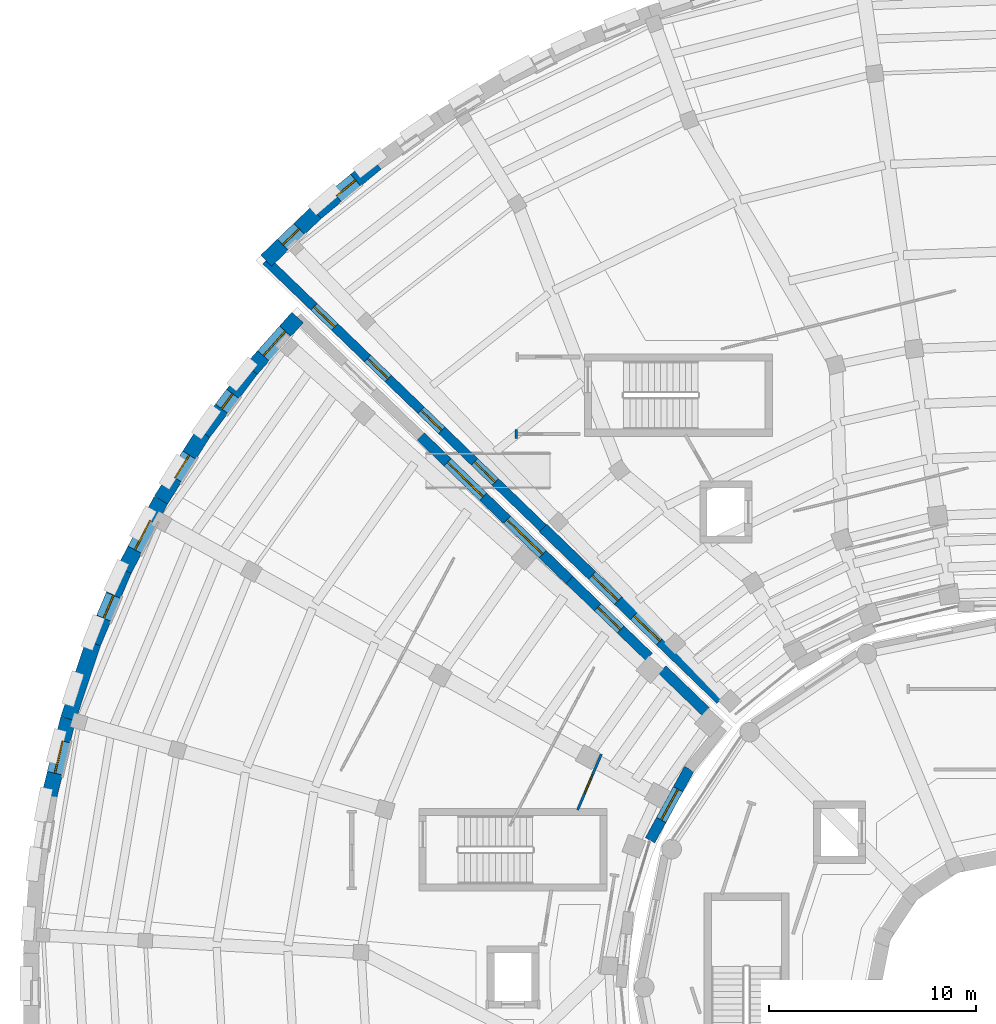
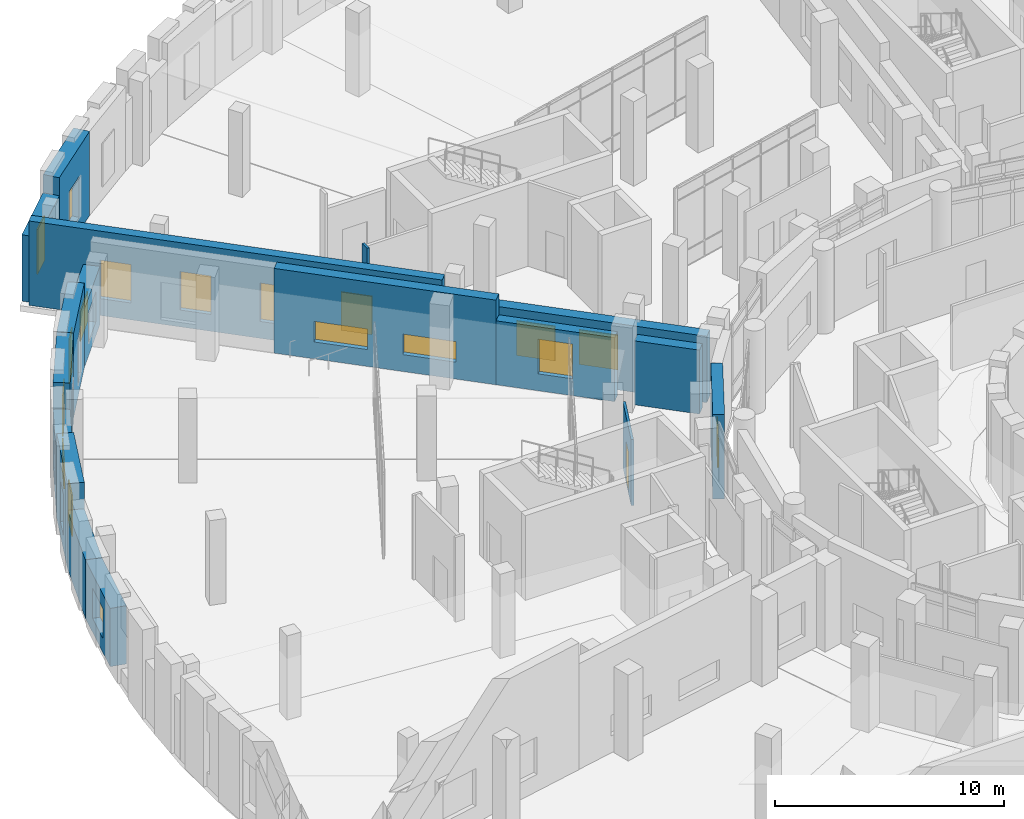
# One storey, part 67 of 89: 18 windows, 17 walls, 1 door, 19 openings.
"""IFC4 building model written with IfcOpenShell, lengths in metres."""

from ifc_helpers import new_model, si_unit, direction, frame, frame_2d, origin, place, context, subcontext, project, spatial, rectangle, extrude, material, layer, layer_set, type_object, element, fill, save


model = new_model("IFC4")

# Units and contexts
model_context = context("Model", 3, precision=1e-05, world=origin(), true_north=direction((0.0, 1.0)))
body_context = subcontext(model_context, "Body", "Model", "MODEL_VIEW")
ifc_project = project(units=[si_unit("LENGTHUNIT", "METRE"), si_unit("AREAUNIT", "SQUARE_METRE"), si_unit("VOLUMEUNIT", "CUBIC_METRE"), si_unit("PLANEANGLEUNIT", "RADIAN"), si_unit("MASSUNIT", "GRAM", prefix="KILO")], contexts=[model_context])

# Site, building, storey
site_placement = place(None, origin())
site = spatial("IfcSite", under=ifc_project, at=site_placement, CompositionType="ELEMENT")
building_placement = place(site_placement, origin())
building = spatial("IfcBuilding", under=site, at=building_placement, Name="Soyqirgoq Riverine Aquarium", CompositionType="ELEMENT")
storey_placement = place(building_placement, frame((0.0, 0.0, 5.39990234375)))
storey = spatial("IfcBuildingStorey", under=building, at=storey_placement, Name="L02", CompositionType="ELEMENT", Elevation=5.39990234375)

# Wall, opening, door
ifc_material_1 = material(Name="Lightweight steel-stud gypsum partition", Category="steel")
ifc_layer_1 = layer(ifc_material_1, 0.1201171875)
ifc_layer_set_1 = layer_set([ifc_layer_1], Name="Lightweight steel-stud gypsum partition")
wall_type_1 = type_object("IfcWallType", Name="PartitionWall_120_Std", PredefinedType="PARTITIONING", material=ifc_layer_set_1)
wall_1_placement = place(storey_placement, frame((36.47119140625, 68.27490234375, 0.0), z_axis=(0.0, 0.0, 1.0), x_axis=(-0.39080089657, -0.920475235539, 0.0)))
wall_1 = element("IfcWall", 1, at=wall_1_placement, inside=storey, type_object=wall_type_1, Name="V3 Gallery Circulation Corridor Partition Wall", PredefinedType="PARTITIONING", context=body_context, shape_type="SweptSolid", body=[
    extrude(rectangle(XDim=2.921875, YDim=0.1201171875, at=frame_2d((1.4609375, 0.0))), origin(), (0.0, 0.0, 1.0), 3.510009765625),
])
opening_1_placement = place(wall_1_placement, frame((1.094970703125, 0.0, 0.0)))
opening_1 = element("IfcOpeningElement", 2, at=opening_1_placement, cuts=wall_1, Name="Opening ID-06", PredefinedType="OPENING", context=body_context, shape_type="SweptSolid", body=[
    extrude(rectangle(XDim=0.949951171875, YDim=2.199951171875, at=frame_2d((0.47509765625, 1.10009765625))), frame((0.0, 0.070068359375, 0.0), z_axis=(0.0, -1.0, 0.0), x_axis=(1.0, 0.0, 0.0)), (0.0, 0.0, 1.0), 0.14013671875),
])
ifc_material_2 = material(Name="Moisture-resistant HPL washroom door", Category="wood")
door_type = type_object("IfcDoorType", Name="WCDoor_950x2200", OperationType="NOTDEFINED", PredefinedType="DOOR", material=ifc_material_2)
door_placement = place(opening_1_placement, origin())
door = element("IfcDoor", 3, at=door_placement, inside=storey, type_object=door_type, Name="IDR-V3-L02-0098 Brackish Delta Habitat Gallery Access Door", OperationType="SINGLE_SWING_LEFT", OverallHeight=2.199951171875, OverallWidth=0.949951171875, PredefinedType="DOOR", context=body_context, shape_type="SweptSolid", body=[
    extrude(rectangle(XDim=0.949951171875, YDim=2.199951171875, at=frame_2d((0.47509765625, 1.10009765625))), frame((0.0, 0.02490234375, 0.0), z_axis=(0.0, -1.0, 0.0), x_axis=(1.0, 0.0, 0.0)), (0.0, 0.0, 1.0), 0.050048828125),
])
fill(opening_1, door)

# Wall
wall_2_placement = place(storey_placement, frame((32.360107421875, 83.97998046875, 0.0), z_axis=(0.0, 0.0, 1.0), x_axis=(0.0, -1.0, 0.0)))
element("IfcWall", 4, at=wall_2_placement, inside=storey, type_object=wall_type_1, Name="V4 L02 Jamb Return Pier", PredefinedType="PARTITIONING", context=body_context, shape_type="SweptSolid", body=[
    extrude(rectangle(XDim=0.43994140625, YDim=0.1201171875, at=frame_2d((0.219970703125, 0.0))), origin(), (0.0, 0.0, 1.0), 3.89013671875),
])

# Wall, openings, windows
ifc_material_3 = material(Name="Honed travertine limestone cavity wall", Category="masonry")
ifc_layer_2 = layer(ifc_material_3, 0.449951171875)
ifc_layer_set_2 = layer_set([ifc_layer_2], Name="Honed travertine limestone cavity wall")
wall_type_2 = type_object("IfcWallType", Name="TravertineCavityWall_450", PredefinedType="SOLIDWALL", material=ifc_layer_set_2)
wall_3_placement = place(storey_placement, frame((33.659912109375, 79.212890625, 0.0), z_axis=(0.0, 0.0, 1.0), x_axis=(-0.719335980864, 0.694662325619, 0.0)))
wall_3 = element("IfcWall", 5, at=wall_3_placement, inside=storey, type_object=wall_type_2, Name="V4 L02 Exterior Travertine Wall 0182", PredefinedType="SOLIDWALL", context=body_context, shape_type="SweptSolid", body=[
    extrude(rectangle(XDim=18.6318359375, YDim=0.449951171875, at=frame_2d((9.31591796875, 0.0))), origin(), (0.0, 0.0, 1.0), 4.5),
])
opening_2_placement = place(wall_3_placement, frame((3.216064453125, 0.0, 0.89990234375)))
opening_2 = element("IfcOpeningElement", 6, at=opening_2_placement, cuts=wall_3, Name="Opening WN-20", PredefinedType="OPENING", context=body_context, shape_type="SweptSolid", body=[
    extrude(rectangle(XDim=1.39990234375, YDim=2.050048828125, at=frame_2d((0.699951171875, 1.02490234375))), frame((0.0, 0.23486328125, 0.0), z_axis=(0.0, -1.0, 0.0), x_axis=(1.0, 0.0, 0.0)), (0.0, 0.0, 1.0), 0.469970703125),
])
opening_3_placement = place(wall_3_placement, frame((6.81591796875, 0.0, 0.89990234375)))
opening_3 = element("IfcOpeningElement", 7, at=opening_3_placement, cuts=wall_3, Name="Opening WN-20", PredefinedType="OPENING", context=body_context, shape_type="SweptSolid", body=[
    extrude(rectangle(XDim=1.39990234375, YDim=2.050048828125, at=frame_2d((0.699951171875, 1.02490234375))), frame((0.0, 0.23486328125, 0.0), z_axis=(0.0, -1.0, 0.0), x_axis=(1.0, 0.0, 0.0)), (0.0, 0.0, 1.0), 0.469970703125),
])
opening_4_placement = place(wall_3_placement, frame((10.416015625, 0.0, 0.89990234375)))
opening_4 = element("IfcOpeningElement", 8, at=opening_4_placement, cuts=wall_3, Name="Opening WN-20", PredefinedType="OPENING", context=body_context, shape_type="SweptSolid", body=[
    extrude(rectangle(XDim=1.39990234375, YDim=2.050048828125, at=frame_2d((0.699951171875, 1.02490234375))), frame((0.0, 0.23486328125, 0.0), z_axis=(0.0, -1.0, 0.0), x_axis=(1.0, 0.0, 0.0)), (0.0, 0.0, 1.0), 0.469970703125),
])
opening_5_placement = place(wall_3_placement, frame((14.01611328125, 0.0, 0.89990234375)))
opening_5 = element("IfcOpeningElement", 9, at=opening_5_placement, cuts=wall_3, Name="Opening WN-20", PredefinedType="OPENING", context=body_context, shape_type="SweptSolid", body=[
    extrude(rectangle(XDim=1.39990234375, YDim=2.050048828125, at=frame_2d((0.699951171875, 1.02490234375))), frame((0.0, 0.23486328125, 0.0), z_axis=(0.0, -1.0, 0.0), x_axis=(1.0, 0.0, 0.0)), (0.0, 0.0, 1.0), 0.469970703125),
])
ifc_material_4 = material(Name="Thermally broken aluminium triple low-E window", Category="aluminium")
window_type_1 = type_object("IfcWindowType", Name="Win_Gallery_1400x2050", PartitioningType="DOUBLE_PANEL_VERTICAL", PredefinedType="WINDOW", material=ifc_material_4)
window_1_placement = place(opening_2_placement, origin())
window_1 = element("IfcWindow", 10, at=window_1_placement, inside=storey, type_object=window_type_1, Name="V4 L02 Facade Window 0122", OverallHeight=2.050048828125, OverallWidth=1.39990234375, PartitioningType="DOUBLE_PANEL_VERTICAL", PredefinedType="WINDOW", context=body_context, shape_type="SweptSolid", body=[
    extrude(rectangle(XDim=1.39990234375, YDim=2.050048828125, at=frame_2d((0.699951171875, 1.02490234375))), frame((0.0, 0.030029296875, 0.0), z_axis=(0.0, -1.0, 0.0), x_axis=(1.0, 0.0, 0.0)), (0.0, 0.0, 1.0), 0.06005859375),
])
fill(opening_2, window_1)
window_2_placement = place(opening_3_placement, origin())
window_2 = element("IfcWindow", 11, at=window_2_placement, inside=storey, type_object=window_type_1, Name="V4 L02 Facade Window 0123", OverallHeight=2.050048828125, OverallWidth=1.39990234375, PartitioningType="DOUBLE_PANEL_VERTICAL", PredefinedType="WINDOW", context=body_context, shape_type="SweptSolid", body=[
    extrude(rectangle(XDim=1.39990234375, YDim=2.050048828125, at=frame_2d((0.699951171875, 1.02490234375))), frame((0.0, 0.030029296875, 0.0), z_axis=(0.0, -1.0, 0.0), x_axis=(1.0, 0.0, 0.0)), (0.0, 0.0, 1.0), 0.06005859375),
])
fill(opening_3, window_2)
window_3_placement = place(opening_4_placement, origin())
window_3 = element("IfcWindow", 12, at=window_3_placement, inside=storey, type_object=window_type_1, Name="V4 L02 Facade Window 0124", OverallHeight=2.050048828125, OverallWidth=1.39990234375, PartitioningType="DOUBLE_PANEL_VERTICAL", PredefinedType="WINDOW", context=body_context, shape_type="SweptSolid", body=[
    extrude(rectangle(XDim=1.39990234375, YDim=2.050048828125, at=frame_2d((0.699951171875, 1.02490234375))), frame((0.0, 0.030029296875, 0.0), z_axis=(0.0, -1.0, 0.0), x_axis=(1.0, 0.0, 0.0)), (0.0, 0.0, 1.0), 0.06005859375),
])
fill(opening_4, window_3)
window_4_placement = place(opening_5_placement, origin())
window_4 = element("IfcWindow", 13, at=window_4_placement, inside=storey, type_object=window_type_1, Name="V4 L02 Facade Window 0125", OverallHeight=2.050048828125, OverallWidth=1.39990234375, PartitioningType="DOUBLE_PANEL_VERTICAL", PredefinedType="WINDOW", context=body_context, shape_type="SweptSolid", body=[
    extrude(rectangle(XDim=1.39990234375, YDim=2.050048828125, at=frame_2d((0.699951171875, 1.02490234375))), frame((0.0, 0.030029296875, 0.0), z_axis=(0.0, -1.0, 0.0), x_axis=(1.0, 0.0, 0.0)), (0.0, 0.0, 1.0), 0.06005859375),
])
fill(opening_5, window_4)

# Wall, opening, window
ifc_material_5 = material(Name="Honed travertine limestone cavity wall", Category="masonry")
ifc_layer_3 = layer(ifc_material_5, 0.47998046875)
ifc_layer_set_3 = layer_set([ifc_layer_3], Name="Honed travertine limestone cavity wall")
wall_type_3 = type_object("IfcWallType", Name="TravertineCavityWall_480", PredefinedType="SOLIDWALL", material=ifc_layer_set_3)
wall_4_placement = place(storey_placement, frame((34.9345703125, 76.703125, 0.0), z_axis=(0.0, 0.0, 1.0), x_axis=(0.719353452816, -0.694644232627, 0.0)))
wall_4 = element("IfcWall", 14, at=wall_4_placement, inside=storey, type_object=wall_type_3, Name="V3 L02 Exterior Travertine Wall 0136", PredefinedType="SOLIDWALL", context=body_context, shape_type="SweptSolid", body=[
    extrude(rectangle(XDim=5.345458984375, YDim=0.47998046875, at=frame_2d((2.6728515625, 0.0))), origin(), (0.0, 0.0, 1.0), 3.41015625),
])
opening_6_placement = place(wall_4_placement, frame((1.897705078125, 0.0, 0.89990234375)))
opening_6 = element("IfcOpeningElement", 15, at=opening_6_placement, cuts=wall_4, Name="Opening WN-18", PredefinedType="OPENING", context=body_context, shape_type="SweptSolid", body=[
    extrude(rectangle(XDim=1.550048828125, YDim=1.85009765625, at=frame_2d((0.77490234375, 0.925048828125))), frame((0.0, 0.25, 0.0), z_axis=(0.0, -1.0, 0.0), x_axis=(1.0, 0.0, 0.0)), (0.0, 0.0, 1.0), 0.5),
])
ifc_material_6 = material(Name="Thermally broken aluminium triple low-E window", Category="aluminium")
window_type_2 = type_object("IfcWindowType", Name="Win_Office_1550x1850", PartitioningType="DOUBLE_PANEL_VERTICAL", PredefinedType="WINDOW", material=ifc_material_6)
window_5_placement = place(opening_6_placement, origin())
window_5 = element("IfcWindow", 16, at=window_5_placement, inside=storey, type_object=window_type_2, Name="V3 L02 Facade Window 0094", OverallHeight=1.85009765625, OverallWidth=1.550048828125, PartitioningType="DOUBLE_PANEL_VERTICAL", PredefinedType="WINDOW", context=body_context, shape_type="SweptSolid", body=[
    extrude(rectangle(XDim=1.550048828125, YDim=1.85009765625, at=frame_2d((0.77490234375, 0.925048828125))), frame((0.0, 0.030029296875, 0.0), z_axis=(0.0, -1.0, 0.0), x_axis=(1.0, 0.0, 0.0)), (0.0, 0.0, 1.0), 0.06005859375),
])
fill(opening_6, window_5)

# Wall, openings, windows
ifc_material_7 = material(Name="Honed travertine limestone cavity wall", Category="masonry")
ifc_layer_4 = layer(ifc_material_7, 0.5)
ifc_layer_set_4 = layer_set([ifc_layer_4], Name="Honed travertine limestone cavity wall")
wall_type_4 = type_object("IfcWallType", Name="TravertineCavityWall_500", PredefinedType="SOLIDWALL", material=ifc_layer_set_4)
wall_5_placement = place(storey_placement, frame((27.7392578125, 83.651611328125, 0.0), z_axis=(0.0, 0.0, 1.0), x_axis=(0.719337111916, -0.694661154392, 0.0)))
wall_5 = element("IfcWall", 17, at=wall_5_placement, inside=storey, type_object=wall_type_4, Name="V3 L02 Exterior Travertine Wall 0135", PredefinedType="SOLIDWALL", context=body_context, shape_type="SweptSolid", body=[
    extrude(rectangle(XDim=10.002685546875, YDim=0.5, at=frame_2d((5.00146484375, 0.0))), origin(), (0.0, 0.0, 1.0), 4.52001953125),
])
opening_7_placement = place(wall_5_placement, frame((1.801513671875, 0.0, 0.89990234375)))
opening_7 = element("IfcOpeningElement", 18, at=opening_7_placement, cuts=wall_5, Name="Opening WN-10", PredefinedType="OPENING", context=body_context, shape_type="SweptSolid", body=[
    extrude(rectangle(XDim=2.39990234375, YDim=1.10009765625, at=frame_2d((1.199951171875, 0.550048828125))), frame((0.0, 0.260009765625, 0.0), z_axis=(0.0, -1.0, 0.0), x_axis=(1.0, 0.0, 0.0)), (0.0, 0.0, 1.0), 0.52001953125),
])
opening_8_placement = place(wall_5_placement, frame((5.801513671875, 0.0, 0.89990234375)))
opening_8 = element("IfcOpeningElement", 19, at=opening_8_placement, cuts=wall_5, Name="Opening WN-10", PredefinedType="OPENING", context=body_context, shape_type="SweptSolid", body=[
    extrude(rectangle(XDim=2.39990234375, YDim=1.10009765625, at=frame_2d((1.199951171875, 0.550048828125))), frame((0.0, 0.260009765625, 0.0), z_axis=(0.0, -1.0, 0.0), x_axis=(1.0, 0.0, 0.0)), (0.0, 0.0, 1.0), 0.52001953125),
])
ifc_material_8 = material(Name="Thermally broken aluminium triple low-E window", Category="aluminium")
window_type_3 = type_object("IfcWindowType", Name="Win_Clerestory_2400x1100", PartitioningType="DOUBLE_PANEL_HORIZONTAL", PredefinedType="LIGHTDOME", material=ifc_material_8)
window_6_placement = place(opening_7_placement, origin())
window_6 = element("IfcWindow", 20, at=window_6_placement, inside=storey, type_object=window_type_3, Name="V3 L02 Facade Window 0092", OverallHeight=1.10009765625, OverallWidth=2.39990234375, PartitioningType="DOUBLE_PANEL_HORIZONTAL", PredefinedType="LIGHTDOME", context=body_context, shape_type="SweptSolid", body=[
    extrude(rectangle(XDim=2.39990234375, YDim=1.10009765625, at=frame_2d((1.199951171875, 0.550048828125))), frame((0.0, 0.030029296875, 0.0), z_axis=(0.0, -1.0, 0.0), x_axis=(1.0, 0.0, 0.0)), (0.0, 0.0, 1.0), 0.06005859375),
])
fill(opening_7, window_6)
window_7_placement = place(opening_8_placement, origin())
window_7 = element("IfcWindow", 21, at=window_7_placement, inside=storey, type_object=window_type_3, Name="V3 L02 Facade Window 0093", OverallHeight=1.10009765625, OverallWidth=2.39990234375, PartitioningType="DOUBLE_PANEL_HORIZONTAL", PredefinedType="LIGHTDOME", context=body_context, shape_type="SweptSolid", body=[
    extrude(rectangle(XDim=2.39990234375, YDim=1.10009765625, at=frame_2d((1.199951171875, 0.550048828125))), frame((0.0, 0.030029296875, 0.0), z_axis=(0.0, -1.0, 0.0), x_axis=(1.0, 0.0, 0.0)), (0.0, 0.0, 1.0), 0.06005859375),
])
fill(opening_8, window_7)

# Wall, opening, window
ifc_material_9 = material(Name="Honed travertine limestone cavity wall", Category="masonry")
ifc_layer_5 = layer(ifc_material_9, 0.52001953125)
ifc_layer_set_5 = layer_set([ifc_layer_5], Name="Honed travertine limestone cavity wall")
wall_type_5 = type_object("IfcWallType", Name="TravertineCavityWall_520", PredefinedType="SOLIDWALL", material=ifc_layer_set_5)
wall_6_placement = place(storey_placement, frame((40.726318359375, 67.562744140625, 0.0), z_axis=(0.0, 0.0, 1.0), x_axis=(-0.480801851499, -0.876829276196, 0.0)))
wall_6 = element("IfcWall", 22, at=wall_6_placement, inside=storey, type_object=wall_type_5, Name="V3 L02 Exterior Travertine Wall 0117", PredefinedType="SOLIDWALL", context=body_context, shape_type="SweptSolid", body=[
    extrude(rectangle(XDim=3.936767578125, YDim=0.52001953125, at=frame_2d((1.96826171875, 0.0))), origin(), (0.0, 0.0, 1.0), 4.52001953125),
])
opening_9_placement = place(wall_6_placement, frame((1.118408203125, 0.0, 0.89990234375)))
opening_9 = element("IfcOpeningElement", 23, at=opening_9_placement, cuts=wall_6, Name="Opening WN-21", PredefinedType="OPENING", context=body_context, shape_type="SweptSolid", body=[
    extrude(rectangle(XDim=1.699951171875, YDim=1.550048828125, at=frame_2d((0.85009765625, 0.77490234375))), frame((0.0, 0.27001953125, 0.0), z_axis=(0.0, -1.0, 0.0), x_axis=(1.0, 0.0, 0.0)), (0.0, 0.0, 1.0), 0.5400390625),
])
ifc_material_10 = material(Name="Thermally broken aluminium triple low-E window", Category="aluminium")
window_type_4 = type_object("IfcWindowType", Name="Win_Lab_1700x1550", PartitioningType="DOUBLE_PANEL_VERTICAL", PredefinedType="WINDOW", material=ifc_material_10)
window_8_placement = place(opening_9_placement, origin())
window_8 = element("IfcWindow", 24, at=window_8_placement, inside=storey, type_object=window_type_4, Name="V3 L02 Facade Window 0074", OverallHeight=1.550048828125, OverallWidth=1.699951171875, PartitioningType="DOUBLE_PANEL_VERTICAL", PredefinedType="WINDOW", context=body_context, shape_type="SweptSolid", body=[
    extrude(rectangle(XDim=1.699951171875, YDim=1.550048828125, at=frame_2d((0.85009765625, 0.77490234375))), frame((0.0, 0.030029296875, 0.0), z_axis=(0.0, -1.0, 0.0), x_axis=(1.0, 0.0, 0.0)), (0.0, 0.0, 1.0), 0.06005859375),
])
fill(opening_9, window_8)

# Wall
wall_7_placement = place(storey_placement, frame((39.42041015625, 72.37109375, 0.0), z_axis=(0.0, 0.0, 1.0), x_axis=(0.719382842016, -0.694613796734, 0.0)))
element("IfcWall", 25, at=wall_7_placement, inside=storey, type_object=wall_type_5, Name="V3 L02 Exterior Travertine Wall 0137", PredefinedType="SOLIDWALL", context=body_context, shape_type="SweptSolid", body=[
    extrude(rectangle(XDim=2.937255859375, YDim=0.52001953125, at=frame_2d((1.46875, 0.0))), origin(), (0.0, 0.0, 1.0), 3.41015625),
])

# Wall, openings, windows
wall_8_placement = place(storey_placement, frame((42.244384765625, 70.923095703125, 0.0), z_axis=(0.0, 0.0, 1.0), x_axis=(-0.719345409555, 0.694652561898, 0.0)))
wall_8 = element("IfcWall", 26, at=wall_8_placement, inside=storey, type_object=wall_type_5, Name="V4 L02 Exterior Travertine Wall 0181", PredefinedType="SOLIDWALL", context=body_context, shape_type="SweptSolid", body=[
    extrude(rectangle(XDim=11.933837890625, YDim=0.52001953125, at=frame_2d((5.966796875, 0.0))), origin(), (0.0, 0.0, 1.0), 3.5400390625),
])
opening_10_placement = place(wall_8_placement, frame((4.07177734375, 0.0, 0.89990234375)))
opening_10 = element("IfcOpeningElement", 27, at=opening_10_placement, cuts=wall_8, Name="Opening WN-19", PredefinedType="OPENING", context=body_context, shape_type="SweptSolid", body=[
    extrude(rectangle(XDim=1.75, YDim=1.85009765625, at=frame_2d((0.875, 0.925048828125))), frame((0.0, 0.27001953125, 0.0), z_axis=(0.0, -1.0, 0.0), x_axis=(1.0, 0.0, 0.0)), (0.0, 0.0, 1.0), 0.5400390625),
])
opening_11_placement = place(wall_8_placement, frame((6.891845703125, 0.0, 0.89990234375)))
opening_11 = element("IfcOpeningElement", 28, at=opening_11_placement, cuts=wall_8, Name="Opening WN-19", PredefinedType="OPENING", context=body_context, shape_type="SweptSolid", body=[
    extrude(rectangle(XDim=1.75, YDim=1.85009765625, at=frame_2d((0.875, 0.925048828125))), frame((0.0, 0.27001953125, 0.0), z_axis=(0.0, -1.0, 0.0), x_axis=(1.0, 0.0, 0.0)), (0.0, 0.0, 1.0), 0.5400390625),
])
ifc_material_11 = material(Name="Thermally broken aluminium triple low-E window", Category="aluminium")
window_type_5 = type_object("IfcWindowType", Name="Win_Office_1750x1850", PartitioningType="DOUBLE_PANEL_VERTICAL", PredefinedType="WINDOW", material=ifc_material_11)
window_9_placement = place(opening_10_placement, origin())
window_9 = element("IfcWindow", 29, at=window_9_placement, inside=storey, type_object=window_type_5, Name="V4 L02 Facade Window 0120", OverallHeight=1.85009765625, OverallWidth=1.75, PartitioningType="DOUBLE_PANEL_VERTICAL", PredefinedType="WINDOW", context=body_context, shape_type="SweptSolid", body=[
    extrude(rectangle(XDim=1.75, YDim=1.85009765625, at=frame_2d((0.875, 0.925048828125))), frame((0.0, 0.030029296875, 0.0), z_axis=(0.0, -1.0, 0.0), x_axis=(1.0, 0.0, 0.0)), (0.0, 0.0, 1.0), 0.06005859375),
])
fill(opening_10, window_9)
window_10_placement = place(opening_11_placement, origin())
window_10 = element("IfcWindow", 30, at=window_10_placement, inside=storey, type_object=window_type_5, Name="V4 L02 Facade Window 0121", OverallHeight=1.85009765625, OverallWidth=1.75, PartitioningType="DOUBLE_PANEL_VERTICAL", PredefinedType="WINDOW", context=body_context, shape_type="SweptSolid", body=[
    extrude(rectangle(XDim=1.75, YDim=1.85009765625, at=frame_2d((0.875, 0.925048828125))), frame((0.0, 0.030029296875, 0.0), z_axis=(0.0, -1.0, 0.0), x_axis=(1.0, 0.0, 0.0)), (0.0, 0.0, 1.0), 0.06005859375),
])
fill(opening_11, window_10)

# Wall, opening, window
ifc_material_12 = material(Name="Honed travertine limestone cavity wall", Category="masonry")
ifc_layer_6 = layer(ifc_material_12, 0.75)
ifc_layer_set_6 = layer_set([ifc_layer_6], Name="Honed travertine limestone cavity wall")
wall_type_6 = type_object("IfcWallType", Name="TravertineNicheWall_750", PredefinedType="SOLIDWALL", material=ifc_layer_set_6)
wall_9_placement = place(storey_placement, frame((9.769775390625, 66.265625, 0.0), z_axis=(0.0, 0.0, 1.0), x_axis=(0.236246101935, 0.971693253718, 0.0)))
wall_9 = element("IfcWall", 31, at=wall_9_placement, inside=storey, type_object=wall_type_6, Name="V3 L02 Exterior Travertine Wall 0127", PredefinedType="SOLIDWALL", context=body_context, shape_type="SweptSolid", body=[
    extrude(rectangle(XDim=3.839111328125, YDim=0.75, at=frame_2d((1.91943359375, 0.0))), origin(), (0.0, 0.0, 1.0), 3.110107421875),
])
opening_12_placement = place(wall_9_placement, frame((1.11962890625, 0.0, 0.75)))
opening_12 = element("IfcOpeningElement", 32, at=opening_12_placement, cuts=wall_9, Name="Opening WN-06", PredefinedType="OPENING", context=body_context, shape_type="SweptSolid", body=[
    extrude(rectangle(XDim=1.60009765625, YDim=1.60009765625, at=frame_2d((0.800048828125, 0.800048828125))), frame((0.0, 0.385009765625, 0.0), z_axis=(0.0, -1.0, 0.0), x_axis=(1.0, 0.0, 0.0)), (0.0, 0.0, 1.0), 0.77001953125),
])
ifc_material_13 = material(Name="Thermally broken aluminium triple low-E window", Category="aluminium")
window_type_6 = type_object("IfcWindowType", Name="Win_Lab_1600x1600", PartitioningType="DOUBLE_PANEL_VERTICAL", PredefinedType="WINDOW", material=ifc_material_13)
window_11_placement = place(opening_12_placement, origin())
window_11 = element("IfcWindow", 33, at=window_11_placement, inside=storey, type_object=window_type_6, Name="V3 L02 Facade Window 0085", OverallHeight=1.60009765625, OverallWidth=1.60009765625, PartitioningType="DOUBLE_PANEL_VERTICAL", PredefinedType="WINDOW", context=body_context, shape_type="SweptSolid", body=[
    extrude(rectangle(XDim=1.60009765625, YDim=1.60009765625, at=frame_2d((0.800048828125, 0.800048828125))), frame((0.0, 0.030029296875, 0.0), z_axis=(0.0, -1.0, 0.0), x_axis=(1.0, 0.0, 0.0)), (0.0, 0.0, 1.0), 0.06005859375),
])
fill(opening_12, window_11)

# Wall
wall_10_placement = place(storey_placement, frame((10.6767578125, 69.99609375, 0.0), z_axis=(0.0, 0.0, 1.0), x_axis=(0.31451034976, 0.949254043918, 0.0)))
element("IfcWall", 34, at=wall_10_placement, inside=storey, type_object=wall_type_6, Name="V3 L02 Exterior Travertine Wall 0128", PredefinedType="SOLIDWALL", context=body_context, shape_type="SweptSolid", body=[
    extrude(rectangle(XDim=3.83935546875, YDim=0.75, at=frame_2d((1.919677734375, 0.0))), origin(), (0.0, 0.0, 1.0), 3.110107421875),
])

# Wall, opening, window
wall_11_placement = place(storey_placement, frame((11.88427734375, 73.640625, 0.0), z_axis=(0.0, 0.0, 1.0), x_axis=(0.390770302988, 0.920488223881, 0.0)))
wall_11 = element("IfcWall", 35, at=wall_11_placement, inside=storey, type_object=wall_type_6, Name="V3 L02 Exterior Travertine Wall 0129", PredefinedType="SOLIDWALL", context=body_context, shape_type="SweptSolid", body=[
    extrude(rectangle(XDim=3.839111328125, YDim=0.75, at=frame_2d((1.91943359375, 0.0))), origin(), (0.0, 0.0, 1.0), 4.52001953125),
])
opening_13_placement = place(wall_11_placement, frame((1.319580078125, 0.0, 0.75)))
opening_13 = element("IfcOpeningElement", 36, at=opening_13_placement, cuts=wall_11, Name="Opening WN-03", PredefinedType="OPENING", context=body_context, shape_type="SweptSolid", body=[
    extrude(rectangle(XDim=1.199951171875, YDim=2.199951171875, at=frame_2d((0.60009765625, 1.10009765625))), frame((0.0, 0.385009765625, 0.0), z_axis=(0.0, -1.0, 0.0), x_axis=(1.0, 0.0, 0.0)), (0.0, 0.0, 1.0), 0.77001953125),
])
ifc_material_14 = material(Name="Thermally broken aluminium triple low-E window", Category="aluminium")
window_type_7 = type_object("IfcWindowType", Name="Win_Niche_1200x2200", PartitioningType="DOUBLE_PANEL_VERTICAL", PredefinedType="WINDOW", material=ifc_material_14)
window_12_placement = place(opening_13_placement, origin())
window_12 = element("IfcWindow", 37, at=window_12_placement, inside=storey, type_object=window_type_7, Name="V3 L02 Facade Window 0086", OverallHeight=2.199951171875, OverallWidth=1.199951171875, PartitioningType="DOUBLE_PANEL_VERTICAL", PredefinedType="WINDOW", context=body_context, shape_type="SweptSolid", body=[
    extrude(rectangle(XDim=1.199951171875, YDim=2.199951171875, at=frame_2d((0.60009765625, 1.10009765625))), frame((0.0, 0.030029296875, 0.0), z_axis=(0.0, -1.0, 0.0), x_axis=(1.0, 0.0, 0.0)), (0.0, 0.0, 1.0), 0.06005859375),
])
fill(opening_13, window_12)

wall_12_placement = place(storey_placement, frame((13.384521484375, 77.174560546875, 0.0), z_axis=(0.0, 0.0, 1.0), x_axis=(0.464325361248, 0.885664698914, 0.0)))
wall_12 = element("IfcWall", 38, at=wall_12_placement, inside=storey, type_object=wall_type_6, Name="V3 L02 Exterior Travertine Wall 0130", PredefinedType="SOLIDWALL", context=body_context, shape_type="SweptSolid", body=[
    extrude(rectangle(XDim=3.83935546875, YDim=0.75, at=frame_2d((1.919677734375, 0.0))), origin(), (0.0, 0.0, 1.0), 3.110107421875),
])
opening_14_placement = place(wall_12_placement, frame((1.11962890625, 0.0, 0.75)))
opening_14 = element("IfcOpeningElement", 39, at=opening_14_placement, cuts=wall_12, Name="Opening WN-06", PredefinedType="OPENING", context=body_context, shape_type="SweptSolid", body=[
    extrude(rectangle(XDim=1.60009765625, YDim=1.60009765625, at=frame_2d((0.800048828125, 0.800048828125))), frame((0.0, 0.385009765625, 0.0), z_axis=(0.0, -1.0, 0.0), x_axis=(1.0, 0.0, 0.0)), (0.0, 0.0, 1.0), 0.77001953125),
])
window_13_placement = place(opening_14_placement, origin())
window_13 = element("IfcWindow", 40, at=window_13_placement, inside=storey, type_object=window_type_6, Name="V3 L02 Facade Window 0087", OverallHeight=1.60009765625, OverallWidth=1.60009765625, PartitioningType="DOUBLE_PANEL_VERTICAL", PredefinedType="WINDOW", context=body_context, shape_type="SweptSolid", body=[
    extrude(rectangle(XDim=1.60009765625, YDim=1.60009765625, at=frame_2d((0.800048828125, 0.800048828125))), frame((0.0, 0.030029296875, 0.0), z_axis=(0.0, -1.0, 0.0), x_axis=(1.0, 0.0, 0.0)), (0.0, 0.0, 1.0), 0.06005859375),
])
fill(opening_14, window_13)

wall_13_placement = place(storey_placement, frame((15.167236328125, 80.574951171875, 0.0), z_axis=(0.0, 0.0, 1.0), x_axis=(0.534820583103, 0.844965646574, 0.0)))
wall_13 = element("IfcWall", 41, at=wall_13_placement, inside=storey, type_object=wall_type_6, Name="V3 L02 Exterior Travertine Wall 0131", PredefinedType="SOLIDWALL", context=body_context, shape_type="SweptSolid", body=[
    extrude(rectangle(XDim=3.839111328125, YDim=0.75, at=frame_2d((1.91943359375, 0.0))), origin(), (0.0, 0.0, 1.0), 4.52001953125),
])
opening_15_placement = place(wall_13_placement, frame((1.26953125, 0.0, 0.75)))
opening_15 = element("IfcOpeningElement", 42, at=opening_15_placement, cuts=wall_13, Name="Opening WN-12", PredefinedType="OPENING", context=body_context, shape_type="SweptSolid", body=[
    extrude(rectangle(XDim=1.300048828125, YDim=2.199951171875, at=frame_2d((0.64990234375, 1.10009765625))), frame((0.0, 0.385009765625, 0.0), z_axis=(0.0, -1.0, 0.0), x_axis=(1.0, 0.0, 0.0)), (0.0, 0.0, 1.0), 0.77001953125),
])
ifc_material_15 = material(Name="Thermally broken aluminium triple low-E window", Category="aluminium")
window_type_8 = type_object("IfcWindowType", Name="Win_Niche_1300x2200", PartitioningType="DOUBLE_PANEL_VERTICAL", PredefinedType="WINDOW", material=ifc_material_15)
window_14_placement = place(opening_15_placement, origin())
window_14 = element("IfcWindow", 43, at=window_14_placement, inside=storey, type_object=window_type_8, Name="V3 L02 Facade Window 0088", OverallHeight=2.199951171875, OverallWidth=1.300048828125, PartitioningType="DOUBLE_PANEL_VERTICAL", PredefinedType="WINDOW", context=body_context, shape_type="SweptSolid", body=[
    extrude(rectangle(XDim=1.300048828125, YDim=2.199951171875, at=frame_2d((0.64990234375, 1.10009765625))), frame((0.0, 0.030029296875, 0.0), z_axis=(0.0, -1.0, 0.0), x_axis=(1.0, 0.0, 0.0)), (0.0, 0.0, 1.0), 0.06005859375),
])
fill(opening_15, window_14)

wall_14_placement = place(storey_placement, frame((17.220458984375, 83.81884765625, 0.0), z_axis=(0.0, 0.0, 1.0), x_axis=(0.601819674659, 0.798632004864, 0.0)))
wall_14 = element("IfcWall", 44, at=wall_14_placement, inside=storey, type_object=wall_type_6, Name="V3 L02 Exterior Travertine Wall 0132", PredefinedType="SOLIDWALL", context=body_context, shape_type="SweptSolid", body=[
    extrude(rectangle(XDim=3.83935546875, YDim=0.75, at=frame_2d((1.919677734375, 0.0))), origin(), (0.0, 0.0, 1.0), 4.52001953125),
])
opening_16_placement = place(wall_14_placement, frame((1.469482421875, 0.0, 0.75)))
opening_16 = element("IfcOpeningElement", 45, at=opening_16_placement, cuts=wall_14, Name="Opening WN-01", PredefinedType="OPENING", context=body_context, shape_type="SweptSolid", body=[
    extrude(rectangle(XDim=0.89990234375, YDim=2.39990234375, at=frame_2d((0.449951171875, 1.199951171875))), frame((0.0, 0.385009765625, 0.0), z_axis=(0.0, -1.0, 0.0), x_axis=(1.0, 0.0, 0.0)), (0.0, 0.0, 1.0), 0.77001953125),
])
ifc_material_16 = material(Name="Thermally broken aluminium triple low-E window", Category="aluminium")
window_type_9 = type_object("IfcWindowType", Name="Win_Niche_900x2400", PartitioningType="SINGLE_PANEL", PredefinedType="WINDOW", material=ifc_material_16)
window_15_placement = place(opening_16_placement, origin())
window_15 = element("IfcWindow", 46, at=window_15_placement, inside=storey, type_object=window_type_9, Name="V3 L02 Facade Window 0089", OverallHeight=2.39990234375, OverallWidth=0.89990234375, PartitioningType="SINGLE_PANEL", PredefinedType="WINDOW", context=body_context, shape_type="SweptSolid", body=[
    extrude(rectangle(XDim=0.89990234375, YDim=2.39990234375, at=frame_2d((0.449951171875, 1.199951171875))), frame((0.0, 0.030029296875, 0.0), z_axis=(0.0, -1.0, 0.0), x_axis=(1.0, 0.0, 0.0)), (0.0, 0.0, 1.0), 0.06005859375),
])
fill(opening_16, window_15)

wall_15_placement = place(storey_placement, frame((19.531005859375, 86.885009765625, 0.0), z_axis=(0.0, 0.0, 1.0), x_axis=(0.664834621829, 0.746990579336, 0.0)))
wall_15 = element("IfcWall", 47, at=wall_15_placement, inside=storey, type_object=wall_type_6, Name="V3 L02 Exterior Travertine Wall 0133", PredefinedType="SOLIDWALL", context=body_context, shape_type="SweptSolid", body=[
    extrude(rectangle(XDim=3.37890625, YDim=0.75, at=frame_2d((1.689453125, 0.0))), origin(), (0.0, 0.0, 1.0), 3.110107421875),
])
opening_17_placement = place(wall_15_placement, frame((0.889404296875, 0.0, 0.75)))
opening_17 = element("IfcOpeningElement", 48, at=opening_17_placement, cuts=wall_15, Name="Opening WN-06", PredefinedType="OPENING", context=body_context, shape_type="SweptSolid", body=[
    extrude(rectangle(XDim=1.60009765625, YDim=1.60009765625, at=frame_2d((0.800048828125, 0.800048828125))), frame((0.0, 0.385009765625, 0.0), z_axis=(0.0, -1.0, 0.0), x_axis=(1.0, 0.0, 0.0)), (0.0, 0.0, 1.0), 0.77001953125),
])
window_16_placement = place(opening_17_placement, origin())
window_16 = element("IfcWindow", 49, at=window_16_placement, inside=storey, type_object=window_type_6, Name="V3 L02 Facade Window 0090", OverallHeight=1.60009765625, OverallWidth=1.60009765625, PartitioningType="DOUBLE_PANEL_VERTICAL", PredefinedType="WINDOW", context=body_context, shape_type="SweptSolid", body=[
    extrude(rectangle(XDim=1.60009765625, YDim=1.60009765625, at=frame_2d((0.800048828125, 0.800048828125))), frame((0.0, 0.030029296875, 0.0), z_axis=(0.0, -1.0, 0.0), x_axis=(1.0, 0.0, 0.0)), (0.0, 0.0, 1.0), 0.06005859375),
])
fill(opening_17, window_16)

wall_16_placement = place(storey_placement, frame((20.25732421875, 92.15576171875, 0.0), z_axis=(0.0, 0.0, 1.0), x_axis=(0.721359497575, 0.692560809791, 0.0)))
wall_16 = element("IfcWall", 50, at=wall_16_placement, inside=storey, type_object=wall_type_6, Name="V4 L02 Exterior Travertine Wall 0183", PredefinedType="SOLIDWALL", context=body_context, shape_type="SweptSolid", body=[
    extrude(rectangle(XDim=3.33154296875, YDim=0.75, at=frame_2d((1.665771484375, 0.0))), origin(), (0.0, 0.0, 1.0), 3.5400390625),
])
opening_18_placement = place(wall_16_placement, frame((1.11572265625, 0.0, 0.75)))
opening_18 = element("IfcOpeningElement", 51, at=opening_18_placement, cuts=wall_16, Name="Opening WN-02", PredefinedType="OPENING", context=body_context, shape_type="SweptSolid", body=[
    extrude(rectangle(XDim=1.10009765625, YDim=2.39990234375, at=frame_2d((0.550048828125, 1.199951171875))), frame((0.0, 0.385009765625, 0.0), z_axis=(0.0, -1.0, 0.0), x_axis=(1.0, 0.0, 0.0)), (0.0, 0.0, 1.0), 0.77001953125),
])
ifc_material_17 = material(Name="Thermally broken aluminium triple low-E window", Category="aluminium")
window_type_10 = type_object("IfcWindowType", Name="Win_Niche_1100x2400", PartitioningType="SINGLE_PANEL", PredefinedType="WINDOW", material=ifc_material_17)
window_17_placement = place(opening_18_placement, origin())
window_17 = element("IfcWindow", 52, at=window_17_placement, inside=storey, type_object=window_type_10, Name="V4 L02 Facade Window 0126", OverallHeight=2.39990234375, OverallWidth=1.10009765625, PartitioningType="SINGLE_PANEL", PredefinedType="WINDOW", context=body_context, shape_type="SweptSolid", body=[
    extrude(rectangle(XDim=1.10009765625, YDim=2.39990234375, at=frame_2d((0.550048828125, 1.199951171875))), frame((0.0, 0.030029296875, 0.0), z_axis=(0.0, -1.0, 0.0), x_axis=(1.0, 0.0, 0.0)), (0.0, 0.0, 1.0), 0.06005859375),
])
fill(opening_18, window_17)

wall_17_placement = place(storey_placement, frame((22.66064453125, 94.463134765625, 0.0), z_axis=(0.0, 0.0, 1.0), x_axis=(0.771645805476, 0.636052474951, 0.0)))
wall_17 = element("IfcWall", 53, at=wall_17_placement, inside=storey, type_object=wall_type_6, Name="V4 L02 Exterior Travertine Wall 0184", PredefinedType="SOLIDWALL", context=body_context, shape_type="SweptSolid", body=[
    extrude(rectangle(XDim=3.7919921875, YDim=0.75, at=frame_2d((1.89599609375, 0.0))), origin(), (0.0, 0.0, 1.0), 4.5),
])
opening_19_placement = place(wall_17_placement, frame((1.2958984375, 0.0, 0.75)))
opening_19 = element("IfcOpeningElement", 54, at=opening_19_placement, cuts=wall_17, Name="Opening WN-03", PredefinedType="OPENING", context=body_context, shape_type="SweptSolid", body=[
    extrude(rectangle(XDim=1.199951171875, YDim=2.199951171875, at=frame_2d((0.60009765625, 1.10009765625))), frame((0.0, 0.385009765625, 0.0), z_axis=(0.0, -1.0, 0.0), x_axis=(1.0, 0.0, 0.0)), (0.0, 0.0, 1.0), 0.77001953125),
])
window_18_placement = place(opening_19_placement, origin())
window_18 = element("IfcWindow", 55, at=window_18_placement, inside=storey, type_object=window_type_7, Name="V4 L02 Facade Window 0127", OverallHeight=2.199951171875, OverallWidth=1.199951171875, PartitioningType="DOUBLE_PANEL_VERTICAL", PredefinedType="WINDOW", context=body_context, shape_type="SweptSolid", body=[
    extrude(rectangle(XDim=1.199951171875, YDim=2.199951171875, at=frame_2d((0.60009765625, 1.10009765625))), frame((0.0, 0.030029296875, 0.0), z_axis=(0.0, -1.0, 0.0), x_axis=(1.0, 0.0, 0.0)), (0.0, 0.0, 1.0), 0.06005859375),
])
fill(opening_19, window_18)

save(model, "model.ifc")
